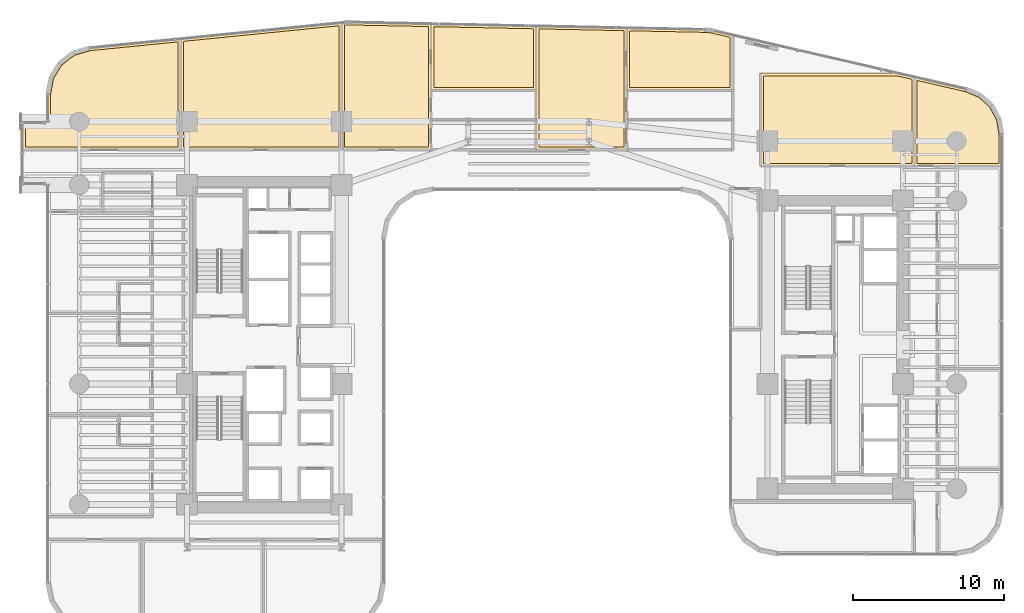
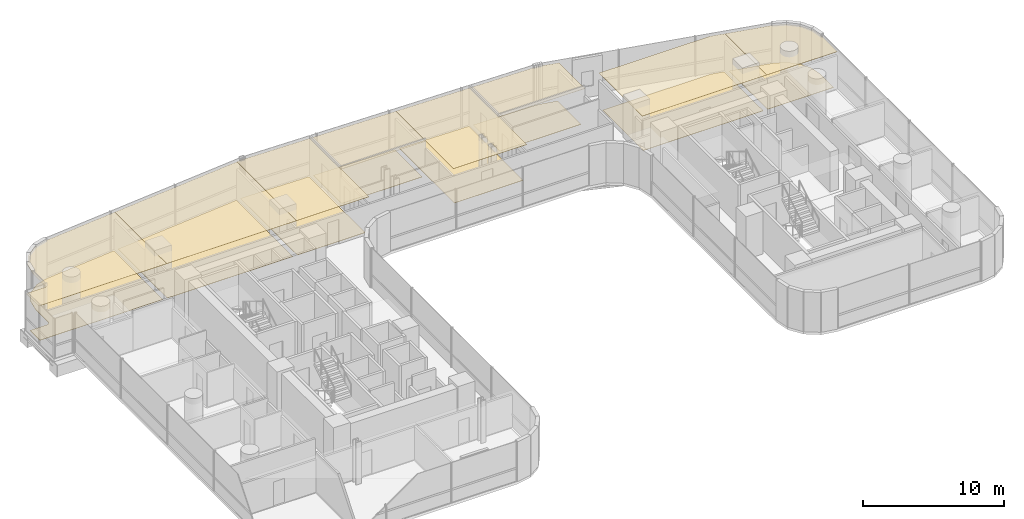
# One storey, part 41 of 41: 16 coverings.
"""IFC4 building model written with IfcOpenShell, lengths in metres."""

from ifc_helpers import new_model, si_unit, direction, frame, origin, place, context, subcontext, project, spatial, polyline, outline, extrude, material, layer, layer_set, type_object, element, save


model = new_model("IFC4")

# Units and contexts
model_context = context("Model", 3, precision=1e-05, world=origin(), true_north=direction((0.0, 1.0)))
body_context = subcontext(model_context, "Body", "Model", "MODEL_VIEW")
ifc_project = project(units=[si_unit("LENGTHUNIT", "METRE"), si_unit("AREAUNIT", "SQUARE_METRE"), si_unit("VOLUMEUNIT", "CUBIC_METRE"), si_unit("PLANEANGLEUNIT", "RADIAN"), si_unit("MASSUNIT", "GRAM", prefix="KILO")], contexts=[model_context])

# Site, building, storey
site_placement = place(None, origin())
site = spatial("IfcSite", under=ifc_project, at=site_placement, CompositionType="ELEMENT")
building_placement = place(site_placement, origin())
building = spatial("IfcBuilding", under=site, at=building_placement, Name="Valdorenza Pilgrim Sanctuary Tower", CompositionType="ELEMENT")
storey_placement = place(building_placement, frame((0.0, 0.0, 88.89990234375)))
storey = spatial("IfcBuildingStorey", under=building, at=storey_placement, Name="L22", CompositionType="ELEMENT", Elevation=88.89990234375)

# Coverings
ifc_material_1 = material(Name="Micro-perforated acoustic mineral ceiling tile", Category="gypsum")
ifc_layer_1 = layer(ifc_material_1, 0.02490234375, Name="Micro-perforated acoustic mineral ceiling tile")
ifc_layer_set_1 = layer_set([ifc_layer_1], Name="Micro-perforated acoustic mineral ceiling tile")
covering_type_1 = type_object("IfcCoveringType", Name="COV-CLG-ACU", PredefinedType="CEILING", material=ifc_layer_set_1)
covering_1_placement = place(storey_placement, frame((0.0, 0.0, 3.16015625)))
element("IfcCovering", 1, at=covering_1_placement, inside=storey, type_object=covering_type_1, Name="L22 Sacred Art Exhibition Gallery L22-N1 Acoustic Ceiling", PredefinedType="CEILING", context=body_context, shape_type="SweptSolid", body=[
    extrude(outline(polyline([(-33.5400390625, 12.905029296875), (-33.54150390625, 12.905029296875), (-33.54296875, 12.9052734375), (-33.54443359375, 12.905517578125), (-33.545654296875, 12.906005859375), (-33.547119140625, 12.90673828125), (-33.54833984375, 12.907470703125), (-33.549560546875, 12.908447265625), (-33.550537109375, 12.909423828125), (-33.551513671875, 12.910400390625), (-33.552490234375, 12.91162109375), (-33.55322265625, 12.912841796875), (-33.553955078125, 12.914306640625), (-33.554443359375, 12.91552734375), (-33.5546875, 12.9169921875), (-33.554931640625, 12.91845703125), (-33.554931640625, 12.919921875), (-33.554931640625, 14.68994140625), (-33.554931640625, 14.69140625), (-33.5546875, 14.69287109375), (-33.554443359375, 14.6943359375), (-33.553955078125, 14.69580078125), (-33.55322265625, 14.697021484375), (-33.552490234375, 14.6982421875), (-33.551513671875, 14.699462890625), (-33.550537109375, 14.70068359375), (-33.549560546875, 14.70166015625), (-33.54833984375, 14.702392578125), (-33.547119140625, 14.703125), (-33.545654296875, 14.703857421875), (-33.54443359375, 14.704345703125), (-33.54296875, 14.70458984375), (-33.54150390625, 14.704833984375), (-33.5400390625, 14.705078125), (-32.00048828125, 14.705078125), (-31.99072265625, 14.70556640625), (-31.9814453125, 14.706787109375), (-31.972412109375, 14.708984375), (-31.963623046875, 14.712158203125), (-31.955078125, 14.71630859375), (-31.947265625, 14.720947265625), (-31.939697265625, 14.7265625), (-31.932861328125, 14.73291015625), (-31.926513671875, 14.73974609375), (-31.9208984375, 14.747314453125), (-31.916259765625, 14.755126953125), (-31.912109375, 14.763671875), (-31.9091796875, 14.7724609375), (-31.90673828125, 14.781494140625), (-31.905517578125, 14.790771484375), (-31.905029296875, 14.80029296875), (-31.905029296875, 16.593994140625), (-31.90478515625, 16.59521484375), (-31.90478515625, 16.5966796875), (-31.6962890625, 17.717041015625), (-31.696044921875, 17.718505859375), (-31.695556640625, 17.7197265625), (-31.695068359375, 17.720947265625), (-31.6943359375, 17.72216796875), (-31.102294921875, 18.68408203125), (-31.1015625, 18.685302734375), (-31.100830078125, 18.686279296875), (-31.099853515625, 18.687255859375), (-31.0986328125, 18.688232421875), (-30.20068359375, 19.372802734375), (-30.199462890625, 19.37353515625), (-30.1982421875, 19.374267578125), (-30.197021484375, 19.374755859375), (-30.19580078125, 19.375244140625), (-29.1015625, 19.694091796875), (-29.10009765625, 19.694580078125), (-29.098876953125, 19.694580078125), (-23.071533203125, 20.29736328125), (-23.070068359375, 20.297607421875), (-23.068603515625, 20.29736328125), (-23.067138671875, 20.297119140625), (-23.065673828125, 20.296875), (-23.064208984375, 20.29638671875), (-23.06298828125, 20.295654296875), (-23.061767578125, 20.294921875), (-23.060546875, 20.294189453125), (-23.059326171875, 20.293212890625), (-23.058349609375, 20.2919921875), (-23.0576171875, 20.290771484375), (-23.056884765625, 20.28955078125), (-23.05615234375, 20.2880859375), (-23.0556640625, 20.286865234375), (-23.055419921875, 20.285400390625), (-23.05517578125, 20.283935546875), (-23.054931640625, 20.282470703125), (-23.054931640625, 12.919921875), (-23.05517578125, 12.91845703125), (-23.055419921875, 12.9169921875), (-23.0556640625, 12.91552734375), (-23.05615234375, 12.914306640625), (-23.056884765625, 12.912841796875), (-23.0576171875, 12.91162109375), (-23.058349609375, 12.910400390625), (-23.059326171875, 12.909423828125), (-23.060546875, 12.908447265625), (-23.061767578125, 12.907470703125), (-23.06298828125, 12.90673828125), (-23.064208984375, 12.906005859375), (-23.065673828125, 12.905517578125), (-23.067138671875, 12.9052734375), (-23.068603515625, 12.905029296875), (-23.070068359375, 12.905029296875), (-33.5400390625, 12.905029296875)])), origin(), (0.0, 0.0, 1.0), 0.02490234375),
])
covering_2_placement = place(storey_placement, frame((0.0, 0.0, 3.16015625)))
element("IfcCovering", 2, at=covering_2_placement, inside=storey, type_object=covering_type_1, Name="L22 Sacred Manuscript Archive L22-N2 Acoustic Ceiling", PredefinedType="CEILING", context=body_context, shape_type="SweptSolid", body=[
    extrude(outline(polyline([(-23.0830078125, 20.282470703125), (-23.0830078125, 20.283447265625), (-23.082763671875, 20.284912109375), (-23.08251953125, 20.28662109375), (-23.08203125, 20.287841796875), (-23.08154296875, 20.289306640625), (-23.080810546875, 20.290771484375), (-23.079833984375, 20.2919921875), (-23.078857421875, 20.29296875), (-23.07763671875, 20.294189453125), (-23.076416015625, 20.294921875), (-23.0751953125, 20.2958984375), (-23.073974609375, 20.29638671875), (-23.072509765625, 20.297119140625), (-23.071044921875, 20.29736328125), (-23.069580078125, 20.297607421875), (-12.401611328125, 21.364501953125), (-12.39990234375, 21.364501953125), (-12.3984375, 21.364501953125), (-12.397216796875, 21.3642578125), (-12.395751953125, 21.36376953125), (-12.394287109375, 21.36328125), (-12.392822265625, 21.36279296875), (-12.3916015625, 21.36181640625), (-12.390380859375, 21.361083984375), (-12.389404296875, 21.360107421875), (-12.388427734375, 21.35888671875), (-12.387451171875, 21.35791015625), (-12.38671875, 21.3564453125), (-12.385986328125, 21.355224609375), (-12.385498046875, 21.353759765625), (-12.38525390625, 21.352294921875), (-12.385009765625, 21.350830078125), (-12.385009765625, 21.349609375), (-12.385009765625, 12.919921875), (-12.385009765625, 12.91845703125), (-12.38525390625, 12.9169921875), (-12.385498046875, 12.91552734375), (-12.385986328125, 12.914306640625), (-12.38671875, 12.912841796875), (-12.387451171875, 12.91162109375), (-12.388427734375, 12.910400390625), (-12.389404296875, 12.909423828125), (-12.390380859375, 12.908447265625), (-12.3916015625, 12.907470703125), (-12.392822265625, 12.90673828125), (-12.394287109375, 12.906005859375), (-12.3955078125, 12.905517578125), (-12.397216796875, 12.9052734375), (-12.3984375, 12.905029296875), (-12.39990234375, 12.905029296875), (-23.068115234375, 12.905029296875), (-23.069580078125, 12.905029296875), (-23.07080078125, 12.9052734375), (-23.072509765625, 12.905517578125), (-23.07373046875, 12.906005859375), (-23.0751953125, 12.90673828125), (-23.076416015625, 12.907470703125), (-23.077392578125, 12.908447265625), (-23.07861328125, 12.909423828125), (-23.07958984375, 12.910400390625), (-23.08056640625, 12.91162109375), (-23.081298828125, 12.912841796875), (-23.081787109375, 12.914306640625), (-23.08251953125, 12.91552734375), (-23.082763671875, 12.9169921875), (-23.0830078125, 12.91845703125), (-23.0830078125, 12.919921875), (-23.0830078125, 20.282470703125), (-23.0830078125, 20.282470703125)])), origin(), (0.0, 0.0, 1.0), 0.02490234375),
])
covering_3_placement = place(storey_placement, frame((0.0, 0.0, 3.16015625)))
element("IfcCovering", 3, at=covering_3_placement, inside=storey, type_object=covering_type_1, Name="L22 North Sanctuary Apartment L22-N3 Bedroom Acoustic Ceiling", PredefinedType="CEILING", context=body_context, shape_type="SweptSolid", body=[
    extrude(outline(polyline([(-6.466064453125, 16.85498046875), (-6.467529296875, 16.85498046875), (-6.468994140625, 16.855224609375), (-6.470458984375, 16.855712890625), (-6.4716796875, 16.856201171875), (-6.47314453125, 16.856689453125), (-6.474365234375, 16.857421875), (-6.4755859375, 16.8583984375), (-6.4765625, 16.859375), (-6.4775390625, 16.860595703125), (-6.478515625, 16.86181640625), (-6.479248046875, 16.86279296875), (-6.47998046875, 16.8642578125), (-6.48046875, 16.865478515625), (-6.480712890625, 16.8671875), (-6.48095703125, 16.868408203125), (-6.48095703125, 16.8701171875), (-6.48095703125, 21.274658203125), (-6.48095703125, 21.276123046875), (-6.480712890625, 21.277587890625), (-6.480224609375, 21.279052734375), (-6.479736328125, 21.280517578125), (-6.479248046875, 21.281982421875), (-6.478515625, 21.283203125), (-6.4775390625, 21.2841796875), (-6.4765625, 21.285400390625), (-6.475341796875, 21.286376953125), (-6.47412109375, 21.287353515625), (-6.472900390625, 21.2880859375), (-6.471435546875, 21.28857421875), (-6.47021484375, 21.2890625), (-6.46875, 21.28955078125), (-6.46728515625, 21.289794921875), (-6.4658203125, 21.289794921875), (0.500244140625, 21.14453125), (0.501708984375, 21.14453125), (0.503173828125, 21.144287109375), (0.504638671875, 21.143798828125), (0.506103515625, 21.143310546875), (0.50732421875, 21.142578125), (0.508544921875, 21.141845703125), (0.509765625, 21.14111328125), (0.5107421875, 21.14013671875), (0.51171875, 21.138916015625), (0.512451171875, 21.1376953125), (0.51318359375, 21.13671875), (0.513916015625, 21.13525390625), (0.514404296875, 21.1337890625), (0.5146484375, 21.132568359375), (0.514892578125, 21.131103515625), (0.514892578125, 21.129638671875), (0.514892578125, 16.8701171875), (0.514892578125, 16.868408203125), (0.5146484375, 16.8671875), (0.514404296875, 16.865478515625), (0.513916015625, 16.8642578125), (0.51318359375, 16.86279296875), (0.512451171875, 16.86181640625), (0.51171875, 16.860595703125), (0.510498046875, 16.859375), (0.509521484375, 16.8583984375), (0.50830078125, 16.857421875), (0.507080078125, 16.856689453125), (0.505615234375, 16.856201171875), (0.50439453125, 16.855712890625), (0.5029296875, 16.855224609375), (0.50146484375, 16.85498046875), (0.5, 16.85498046875), (-6.466064453125, 16.85498046875)])), origin(), (0.0, 0.0, 1.0), 0.02490234375),
])
covering_4_placement = place(storey_placement, frame((0.0, 0.0, 3.16015625)))
element("IfcCovering", 4, at=covering_4_placement, inside=storey, type_object=covering_type_1, Name="L22 North Sanctuary Apartment L22-N3 Living Room Acoustic Ceiling", PredefinedType="CEILING", context=body_context, shape_type="SweptSolid", body=[
    extrude(outline(polyline([(-12.4130859375, 21.349609375), (-12.4130859375, 21.3505859375), (-12.412841796875, 21.35205078125), (-12.41259765625, 21.353515625), (-12.412109375, 21.35498046875), (-12.41162109375, 21.356201171875), (-12.41064453125, 21.357666015625), (-12.409912109375, 21.35888671875), (-12.408935546875, 21.360107421875), (-12.40771484375, 21.361083984375), (-12.406494140625, 21.362060546875), (-12.4052734375, 21.36279296875), (-12.40380859375, 21.363525390625), (-12.402587890625, 21.364013671875), (-12.40087890625, 21.364501953125), (-12.3994140625, 21.364501953125), (-12.18359375, 21.38623046875), (-12.183349609375, 21.38623046875), (-12.089599609375, 21.39404296875), (-12.089111328125, 21.39404296875), (-11.996337890625, 21.399169921875), (-11.995849609375, 21.3994140625), (-11.902587890625, 21.401611328125), (-11.90234375, 21.401611328125), (-11.808349609375, 21.40087890625), (-11.80810546875, 21.40087890625), (-6.4677734375, 21.289794921875), (-6.46630859375, 21.28955078125), (-6.46484375, 21.289306640625), (-6.46337890625, 21.2890625), (-6.4619140625, 21.28857421875), (-6.460693359375, 21.287841796875), (-6.45947265625, 21.287109375), (-6.458251953125, 21.2861328125), (-6.457275390625, 21.28515625), (-6.456298828125, 21.2841796875), (-6.45556640625, 21.282958984375), (-6.45458984375, 21.28173828125), (-6.4541015625, 21.280517578125), (-6.45361328125, 21.279052734375), (-6.453369140625, 21.277587890625), (-6.453125, 21.276123046875), (-6.452880859375, 21.274658203125), (-6.452880859375, 16.87548828125), (-6.45263671875, 16.875), (-6.4521484375, 16.87353515625), (-6.45166015625, 16.872314453125), (-6.451416015625, 16.870849609375), (-6.451171875, 16.869384765625), (-6.450927734375, 16.867919921875), (-6.450927734375, 12.919921875), (-6.451171875, 12.91845703125), (-6.451416015625, 12.9169921875), (-6.45166015625, 12.91552734375), (-6.4521484375, 12.914306640625), (-6.452880859375, 12.912841796875), (-6.45361328125, 12.91162109375), (-6.454345703125, 12.910400390625), (-6.455322265625, 12.909423828125), (-6.45654296875, 12.908447265625), (-6.457763671875, 12.907470703125), (-6.458984375, 12.90673828125), (-6.460205078125, 12.906005859375), (-6.461669921875, 12.905517578125), (-6.463134765625, 12.9052734375), (-6.464599609375, 12.905029296875), (-6.466064453125, 12.905029296875), (-12.39794921875, 12.905029296875), (-12.3994140625, 12.905029296875), (-12.40087890625, 12.9052734375), (-12.40234375, 12.905517578125), (-12.40380859375, 12.906005859375), (-12.405029296875, 12.90673828125), (-12.40625, 12.907470703125), (-12.407470703125, 12.908447265625), (-12.40869140625, 12.909423828125), (-12.40966796875, 12.910400390625), (-12.410400390625, 12.91162109375), (-12.4111328125, 12.912841796875), (-12.411865234375, 12.914306640625), (-12.412353515625, 12.91552734375), (-12.41259765625, 12.9169921875), (-12.412841796875, 12.91845703125), (-12.4130859375, 12.919921875), (-12.4130859375, 21.349609375), (-12.4130859375, 21.349609375)])), origin(), (0.0, 0.0, 1.0), 0.02490234375),
])
covering_5_placement = place(storey_placement, frame((0.0, 0.0, 3.16015625)))
element("IfcCovering", 5, at=covering_5_placement, inside=storey, type_object=covering_type_1, Name="L22 North Sanctuary Apartment L22-N4 Bedroom Acoustic Ceiling", PredefinedType="CEILING", context=body_context, shape_type="SweptSolid", body=[
    extrude(outline(polyline([(6.5029296875, 16.85498046875), (6.50146484375, 16.85498046875), (6.5, 16.855224609375), (6.49853515625, 16.855712890625), (6.497314453125, 16.856201171875), (6.495849609375, 16.856689453125), (6.49462890625, 16.857421875), (6.493408203125, 16.8583984375), (6.492431640625, 16.859375), (6.491455078125, 16.860595703125), (6.490478515625, 16.86181640625), (6.48974609375, 16.86279296875), (6.489013671875, 16.8642578125), (6.488525390625, 16.865478515625), (6.48828125, 16.8671875), (6.488037109375, 16.868408203125), (6.488037109375, 16.8701171875), (6.488037109375, 21.00439453125), (6.488037109375, 21.006103515625), (6.48828125, 21.007568359375), (6.48876953125, 21.0087890625), (6.4892578125, 21.01025390625), (6.48974609375, 21.01171875), (6.490478515625, 21.012939453125), (6.491455078125, 21.01416015625), (6.492431640625, 21.01513671875), (6.49365234375, 21.01611328125), (6.494873046875, 21.01708984375), (6.49609375, 21.017822265625), (6.49755859375, 21.0185546875), (6.498779296875, 21.018798828125), (6.500244140625, 21.019287109375), (6.501708984375, 21.01953125), (6.50341796875, 21.01953125), (11.666015625, 20.912109375), (11.66650390625, 20.911865234375), (11.82666015625, 20.904296875), (11.827392578125, 20.904296875), (11.98583984375, 20.888916015625), (11.986572265625, 20.888671875), (12.143798828125, 20.864990234375), (12.14453125, 20.864990234375), (12.302001953125, 20.832763671875), (12.30224609375, 20.832763671875), (13.553466796875, 20.5439453125), (13.5546875, 20.543701171875), (13.55615234375, 20.543212890625), (13.557373046875, 20.54248046875), (13.55859375, 20.541748046875), (13.559814453125, 20.540771484375), (13.560791015625, 20.539794921875), (13.561767578125, 20.538818359375), (13.5625, 20.53759765625), (13.563232421875, 20.536376953125), (13.56396484375, 20.534912109375), (13.564453125, 20.53369140625), (13.564697265625, 20.5322265625), (13.56494140625, 20.53076171875), (13.56494140625, 20.529296875), (13.56494140625, 16.8701171875), (13.56494140625, 16.868408203125), (13.564697265625, 16.8671875), (13.564453125, 16.865478515625), (13.56396484375, 16.8642578125), (13.563232421875, 16.86279296875), (13.5625, 16.86181640625), (13.5615234375, 16.860595703125), (13.560546875, 16.859375), (13.5595703125, 16.8583984375), (13.558349609375, 16.857421875), (13.55712890625, 16.856689453125), (13.5556640625, 16.856201171875), (13.554443359375, 16.855712890625), (13.552978515625, 16.855224609375), (13.551513671875, 16.85498046875), (13.550048828125, 16.85498046875), (6.5029296875, 16.85498046875)])), origin(), (0.0, 0.0, 1.0), 0.02490234375),
])
covering_6_placement = place(storey_placement, frame((0.0, 0.0, 3.16015625)))
element("IfcCovering", 6, at=covering_6_placement, inside=storey, type_object=covering_type_1, Name="L22 North Sanctuary Apartment L22-N4 Living Room Acoustic Ceiling", PredefinedType="CEILING", context=body_context, shape_type="SweptSolid", body=[
    extrude(outline(polyline([(0.487060546875, 14.918212890625), (0.48681640625, 14.9189453125), (0.48681640625, 14.92041015625), (0.48681640625, 14.922119140625), (0.48681640625, 14.923583984375), (0.487060546875, 14.923828125), (0.487060546875, 16.8662109375), (0.48681640625, 16.866943359375), (0.48681640625, 16.868408203125), (0.48681640625, 16.8701171875), (0.48681640625, 16.87158203125), (0.487060546875, 16.871826171875), (0.487060546875, 21.12939453125), (0.487060546875, 21.131103515625), (0.4873046875, 21.132568359375), (0.48779296875, 21.1337890625), (0.48828125, 21.13525390625), (0.48876953125, 21.13671875), (0.489501953125, 21.137939453125), (0.490478515625, 21.13916015625), (0.491455078125, 21.140380859375), (0.49267578125, 21.14111328125), (0.493896484375, 21.14208984375), (0.4951171875, 21.142822265625), (0.49658203125, 21.1435546875), (0.497802734375, 21.14404296875), (0.499267578125, 21.144287109375), (0.500732421875, 21.14453125), (0.502197265625, 21.14453125), (6.501220703125, 21.01953125), (6.502685546875, 21.019287109375), (6.504150390625, 21.019287109375), (6.505615234375, 21.018798828125), (6.507080078125, 21.018310546875), (6.50830078125, 21.017578125), (6.509521484375, 21.016845703125), (6.5107421875, 21.01611328125), (6.51171875, 21.014892578125), (6.5126953125, 21.013916015625), (6.513427734375, 21.0126953125), (6.514404296875, 21.011474609375), (6.514892578125, 21.01025390625), (6.515380859375, 21.0087890625), (6.515625, 21.00732421875), (6.515869140625, 21.006103515625), (6.51611328125, 21.004638671875), (6.51611328125, 16.87548828125), (6.516357421875, 16.875), (6.516845703125, 16.87353515625), (6.517333984375, 16.872314453125), (6.517578125, 16.870849609375), (6.517822265625, 16.869384765625), (6.51806640625, 16.867919921875), (6.51806640625, 12.919921875), (6.517822265625, 12.91845703125), (6.517578125, 12.9169921875), (6.517333984375, 12.91552734375), (6.516845703125, 12.914306640625), (6.51611328125, 12.912841796875), (6.515380859375, 12.91162109375), (6.5146484375, 12.910400390625), (6.513671875, 12.909423828125), (6.512451171875, 12.908447265625), (6.51123046875, 12.907470703125), (6.510009765625, 12.90673828125), (6.5087890625, 12.906005859375), (6.50732421875, 12.905517578125), (6.505859375, 12.9052734375), (6.50439453125, 12.905029296875), (6.5029296875, 12.905029296875), (0.501953125, 12.905029296875), (0.50048828125, 12.905029296875), (0.4990234375, 12.9052734375), (0.49755859375, 12.905517578125), (0.496337890625, 12.906005859375), (0.494873046875, 12.90673828125), (0.49365234375, 12.907470703125), (0.492431640625, 12.908447265625), (0.491455078125, 12.909423828125), (0.490478515625, 12.910400390625), (0.489501953125, 12.91162109375), (0.48876953125, 12.912841796875), (0.488037109375, 12.914306640625), (0.487548828125, 12.91552734375), (0.4873046875, 12.9169921875), (0.487060546875, 12.91845703125), (0.487060546875, 12.919921875), (0.487060546875, 14.918212890625)])), origin(), (0.0, 0.0, 1.0), 0.02490234375),
])
covering_7_placement = place(storey_placement, frame((0.0, 0.0, 3.16015625)))
element("IfcCovering", 7, at=covering_7_placement, inside=storey, type_object=covering_type_1, Name="L22 Curator Research Office L22-BN1 Acoustic Ceiling", PredefinedType="CEILING", context=body_context, shape_type="SweptSolid", body=[
    extrude(outline(polyline([(15.39990234375, 11.8349609375), (15.3984375, 11.835205078125), (15.397216796875, 11.835205078125), (15.3955078125, 11.835693359375), (15.394287109375, 11.836181640625), (15.392822265625, 11.8369140625), (15.3916015625, 11.83740234375), (15.390380859375, 11.83837890625), (15.389404296875, 11.83935546875), (15.388427734375, 11.840576171875), (15.387451171875, 11.841796875), (15.38671875, 11.843017578125), (15.385986328125, 11.84423828125), (15.385498046875, 11.845703125), (15.38525390625, 11.84716796875), (15.385009765625, 11.848388671875), (15.385009765625, 11.85009765625), (15.385009765625, 18.0), (15.385009765625, 18.00146484375), (15.38525390625, 18.0029296875), (15.385498046875, 18.00439453125), (15.385986328125, 18.005615234375), (15.38671875, 18.007080078125), (15.387451171875, 18.00830078125), (15.388427734375, 18.009521484375), (15.389404296875, 18.010498046875), (15.390380859375, 18.01171875), (15.3916015625, 18.012451171875), (15.392822265625, 18.01318359375), (15.394287109375, 18.013916015625), (15.3955078125, 18.014404296875), (15.397216796875, 18.0146484375), (15.3984375, 18.014892578125), (15.39990234375, 18.014892578125), (24.5107421875, 18.014892578125), (24.512451171875, 18.014892578125), (24.51416015625, 18.0146484375), (25.603515625, 17.76318359375), (25.604736328125, 17.762939453125), (25.606201171875, 17.76220703125), (25.607421875, 17.76171875), (25.608642578125, 17.760986328125), (25.609619140625, 17.760009765625), (25.61083984375, 17.759033203125), (25.61181640625, 17.758056640625), (25.612548828125, 17.7568359375), (25.61328125, 17.755615234375), (25.614013671875, 17.75439453125), (25.614501953125, 17.7529296875), (25.61474609375, 17.75146484375), (25.614990234375, 17.75), (25.614990234375, 17.74853515625), (25.614990234375, 11.85009765625), (25.614990234375, 11.848388671875), (25.61474609375, 11.84716796875), (25.614501953125, 11.845703125), (25.614013671875, 11.84423828125), (25.61328125, 11.843017578125), (25.612548828125, 11.841796875), (25.611572265625, 11.840576171875), (25.610595703125, 11.83935546875), (25.609619140625, 11.83837890625), (25.6083984375, 11.83740234375), (25.607177734375, 11.8369140625), (25.605712890625, 11.836181640625), (25.6044921875, 11.835693359375), (25.602783203125, 11.835205078125), (25.6015625, 11.835205078125), (25.60009765625, 11.8349609375), (15.39990234375, 11.8349609375)])), origin(), (0.0, 0.0, 1.0), 0.02490234375),
])
covering_8_placement = place(storey_placement, frame((0.0, 0.0, 3.16015625)))
element("IfcCovering", 8, at=covering_8_placement, inside=storey, type_object=covering_type_1, Name="L22 East Wing Reference Library L22-BNE Acoustic Ceiling", PredefinedType="CEILING", context=body_context, shape_type="SweptSolid", body=[
    extrude(outline(polyline([(28.9892578125, 16.98193359375), (28.990478515625, 16.981689453125), (28.99169921875, 16.981201171875), (29.95361328125, 16.580322265625), (29.955078125, 16.57958984375), (29.95654296875, 16.57861328125), (29.9580078125, 16.57763671875), (30.72705078125, 15.88818359375), (30.728271484375, 15.886962890625), (30.729248046875, 15.8857421875), (30.72998046875, 15.88427734375), (31.22900390625, 14.97998046875), (31.2294921875, 14.978271484375), (31.230224609375, 14.976806640625), (31.230712890625, 14.97509765625), (31.40478515625, 13.947509765625), (31.40478515625, 13.9462890625), (31.405029296875, 13.945068359375), (31.405029296875, 11.85009765625), (31.40478515625, 11.848388671875), (31.40478515625, 11.84716796875), (31.404296875, 11.845703125), (31.40380859375, 11.84423828125), (31.4033203125, 11.843017578125), (31.402587890625, 11.841796875), (31.401611328125, 11.840576171875), (31.400634765625, 11.83935546875), (31.3994140625, 11.83837890625), (31.398193359375, 11.83740234375), (31.397216796875, 11.8369140625), (31.395751953125, 11.836181640625), (31.394287109375, 11.835693359375), (31.392822265625, 11.835205078125), (31.3916015625, 11.835205078125), (31.389892578125, 11.8349609375), (25.60205078125, 11.8349609375), (25.6005859375, 11.835205078125), (25.59912109375, 11.835205078125), (25.59765625, 11.835693359375), (25.59619140625, 11.836181640625), (25.594970703125, 11.8369140625), (25.59375, 11.83740234375), (25.592529296875, 11.83837890625), (25.59130859375, 11.83935546875), (25.59033203125, 11.840576171875), (25.589599609375, 11.841796875), (25.5888671875, 11.843017578125), (25.588134765625, 11.84423828125), (25.587646484375, 11.845703125), (25.58740234375, 11.84716796875), (25.587158203125, 11.848388671875), (25.5869140625, 11.85009765625), (25.5869140625, 17.748291015625), (25.587158203125, 17.749755859375), (25.58740234375, 17.751220703125), (25.587646484375, 17.752685546875), (25.588134765625, 17.75390625), (25.5888671875, 17.75537109375), (25.589599609375, 17.756591796875), (25.590576171875, 17.7578125), (25.591552734375, 17.7587890625), (25.5927734375, 17.760009765625), (25.593994140625, 17.7607421875), (25.59521484375, 17.761474609375), (25.596435546875, 17.76220703125), (25.597900390625, 17.7626953125), (25.599365234375, 17.762939453125), (25.600830078125, 17.76318359375), (25.602294921875, 17.76318359375), (25.60400390625, 17.76318359375), (25.60546875, 17.7626953125), (28.9892578125, 16.98193359375)])), origin(), (0.0, 0.0, 1.0), 0.02490234375),
])
ifc_material_2 = material(Name="Engineered European oak timber flooring", Category="wood")
ifc_layer_2 = layer(ifc_material_2, 0.02197265625, Name="Engineered European oak timber flooring")
ifc_layer_set_2 = layer_set([ifc_layer_2], Name="Engineered European oak timber flooring")
covering_type_2 = type_object("IfcCoveringType", Name="COV-FLR-OAK", PredefinedType="FLOORING", material=ifc_layer_set_2)
covering_9_placement = place(storey_placement, origin())
element("IfcCovering", 9, at=covering_9_placement, inside=storey, type_object=covering_type_2, Name="L22 North Sanctuary Apartment L22-N3 Bedroom Flooring", PredefinedType="FLOORING", context=body_context, shape_type="SweptSolid", body=[
    extrude(outline(polyline([(-6.285888671875, 17.050048828125), (-6.285888671875, 21.0908203125), (0.320068359375, 20.953369140625), (0.320068359375, 17.050048828125), (-6.285888671875, 17.050048828125)])), origin(), (0.0, 0.0, 1.0), 0.025146484375),
])
covering_10_placement = place(storey_placement, origin())
element("IfcCovering", 10, at=covering_10_placement, inside=storey, type_object=covering_type_2, Name="L22 North Sanctuary Apartment L22-N3 Living Room Flooring", PredefinedType="FLOORING", context=body_context, shape_type="SweptSolid", body=[
    extrude(outline(polyline([(-12.218017578125, 13.10009765625), (-12.218017578125, 21.186767578125), (-12.165283203125, 21.19189453125), (-12.07568359375, 21.19970703125), (-11.98828125, 21.204345703125), (-11.900634765625, 21.20654296875), (-11.810791015625, 21.2060546875), (-6.64794921875, 21.098388671875), (-6.64794921875, 16.8701171875), (-6.64599609375, 13.10009765625), (-12.218017578125, 13.10009765625)])), origin(), (0.0, 0.0, 1.0), 0.025146484375),
])
covering_11_placement = place(storey_placement, origin())
element("IfcCovering", 11, at=covering_11_placement, inside=storey, type_object=covering_type_2, Name="L22 North Sanctuary Apartment L22-N4 Bedroom Flooring", PredefinedType="FLOORING", context=body_context, shape_type="SweptSolid", body=[
    extrude(outline(polyline([(6.68310546875, 17.050048828125), (6.68310546875, 20.82080078125), (11.65966796875, 20.717041015625), (11.81298828125, 20.7099609375), (11.962158203125, 20.6953125), (12.110107421875, 20.6728515625), (12.2607421875, 20.64208984375), (13.3701171875, 20.38623046875), (13.3701171875, 17.050048828125), (6.68310546875, 17.050048828125)])), origin(), (0.0, 0.0, 1.0), 0.025146484375),
])
covering_12_placement = place(storey_placement, origin())
element("IfcCovering", 12, at=covering_12_placement, inside=storey, type_object=covering_type_2, Name="L22 North Sanctuary Apartment L22-N4 Living Room Flooring", PredefinedType="FLOORING", context=body_context, shape_type="SweptSolid", body=[
    extrude(outline(polyline([(0.681884765625, 14.921630859375), (0.681884765625, 14.922119140625), (0.681884765625, 16.867919921875), (0.681884765625, 16.868896484375), (0.681884765625, 16.86962890625), (0.681884765625, 16.8701171875), (0.681884765625, 20.94580078125), (6.321044921875, 20.828369140625), (6.321044921875, 16.8701171875), (6.322998046875, 13.10009765625), (0.681884765625, 13.10009765625), (0.681884765625, 14.919921875), (0.681884765625, 14.9208984375), (0.681884765625, 14.921630859375)])), origin(), (0.0, 0.0, 1.0), 0.025146484375),
])
ifc_material_3 = material(Name="Honed travertine stone flooring", Category="masonry")
ifc_layer_3 = layer(ifc_material_3, 0.030029296875, Name="Honed travertine stone flooring")
ifc_layer_set_3 = layer_set([ifc_layer_3], Name="Honed travertine stone flooring")
covering_type_3 = type_object("IfcCoveringType", Name="COV-FLR-TRV", PredefinedType="FLOORING", material=ifc_layer_set_3)
covering_13_placement = place(storey_placement, origin())
element("IfcCovering", 13, at=covering_13_placement, inside=storey, type_object=covering_type_3, Name="L22 Sacred Art Exhibition Gallery L22-N1 Flooring", PredefinedType="FLOORING", context=body_context, shape_type="SweptSolid", body=[
    extrude(outline(polyline([(-33.360107421875, 13.10009765625), (-33.360107421875, 14.510009765625), (-32.0, 14.510009765625), (-31.9912109375, 14.51025390625), (-31.98046875, 14.5107421875), (-31.962890625, 14.512451171875), (-31.9521484375, 14.51416015625), (-31.934814453125, 14.517578125), (-31.92431640625, 14.52001953125), (-31.907470703125, 14.525390625), (-31.897216796875, 14.52880859375), (-31.880859375, 14.53564453125), (-31.87109375, 14.540283203125), (-31.855712890625, 14.548583984375), (-31.84619140625, 14.55419921875), (-31.831787109375, 14.56396484375), (-31.822998046875, 14.5703125), (-31.809326171875, 14.58154296875), (-31.80126953125, 14.5888671875), (-31.788818359375, 14.601318359375), (-31.781494140625, 14.609375), (-31.7705078125, 14.623046875), (-31.763916015625, 14.631591796875), (-31.754150390625, 14.646240234375), (-31.74853515625, 14.655517578125), (-31.740234375, 14.671142578125), (-31.735595703125, 14.680908203125), (-31.72900390625, 14.697265625), (-31.725341796875, 14.70751953125), (-31.72021484375, 14.724365234375), (-31.717529296875, 14.73486328125), (-31.714111328125, 14.752197265625), (-31.71240234375, 14.7626953125), (-31.710693359375, 14.780517578125), (-31.710205078125, 14.791259765625), (-31.7099609375, 14.800048828125), (-31.7099609375, 16.577392578125), (-31.5107421875, 17.6484375), (-30.953857421875, 18.553466796875), (-30.109130859375, 19.197509765625), (-29.06298828125, 19.502197265625), (-23.25, 20.08349609375), (-23.25, 13.10009765625), (-33.360107421875, 13.10009765625)])), origin(), (0.0, 0.0, 1.0), 0.025146484375),
])
covering_14_placement = place(storey_placement, origin())
element("IfcCovering", 14, at=covering_14_placement, inside=storey, type_object=covering_type_3, Name="L22 Sacred Manuscript Archive L22-N2 Flooring", PredefinedType="FLOORING", context=body_context, shape_type="SweptSolid", body=[
    extrude(outline(polyline([(-22.887939453125, 13.10009765625), (-22.887939453125, 20.11962890625), (-12.580078125, 21.150634765625), (-12.580078125, 13.10009765625), (-22.887939453125, 13.10009765625)])), origin(), (0.0, 0.0, 1.0), 0.025146484375),
])
covering_15_placement = place(storey_placement, origin())
element("IfcCovering", 15, at=covering_15_placement, inside=storey, type_object=covering_type_3, Name="L22 Curator Research Office L22-BN1 Flooring", PredefinedType="FLOORING", context=body_context, shape_type="SweptSolid", body=[
    extrude(outline(polyline([(15.580078125, 12.030029296875), (15.580078125, 17.820068359375), (24.490234375, 17.820068359375), (25.419921875, 17.60546875), (25.419921875, 12.030029296875), (15.580078125, 12.030029296875)])), origin(), (0.0, 0.0, 1.0), 0.025146484375),
])
covering_16_placement = place(storey_placement, origin())
element("IfcCovering", 16, at=covering_16_placement, inside=storey, type_object=covering_type_3, Name="L22 East Wing Reference Library L22-BNE Flooring", PredefinedType="FLOORING", context=body_context, shape_type="SweptSolid", body=[
    extrude(outline(polyline([(28.9306640625, 16.79541015625), (29.8505859375, 16.412109375), (30.57421875, 15.763427734375), (31.04345703125, 14.912353515625), (31.2099609375, 13.929931640625), (31.2099609375, 12.030029296875), (25.781982421875, 12.030029296875), (25.781982421875, 17.52197265625), (28.9306640625, 16.79541015625)])), origin(), (0.0, 0.0, 1.0), 0.025146484375),
])

save(model, "model.ifc")
